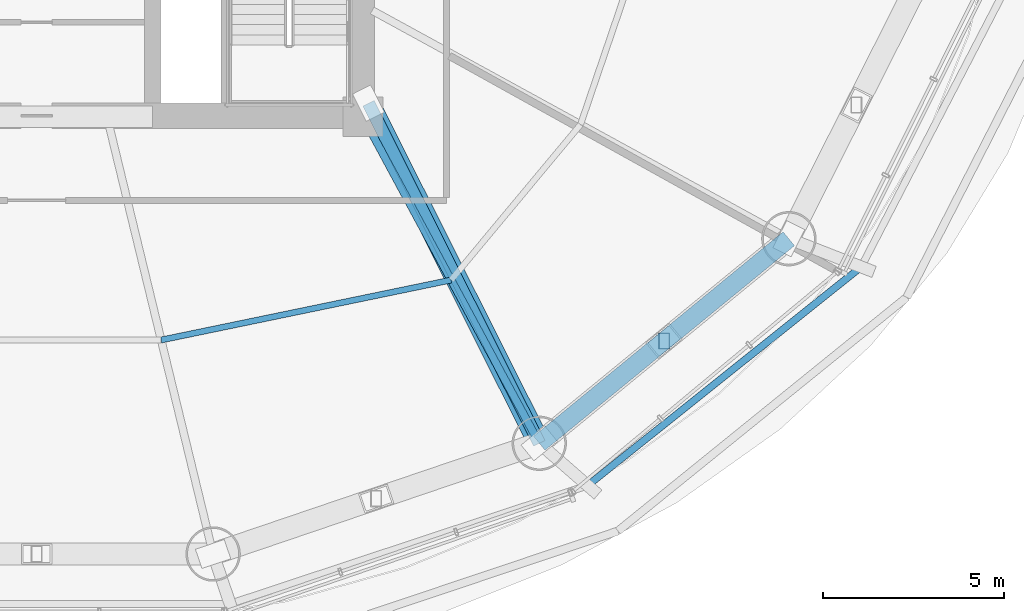
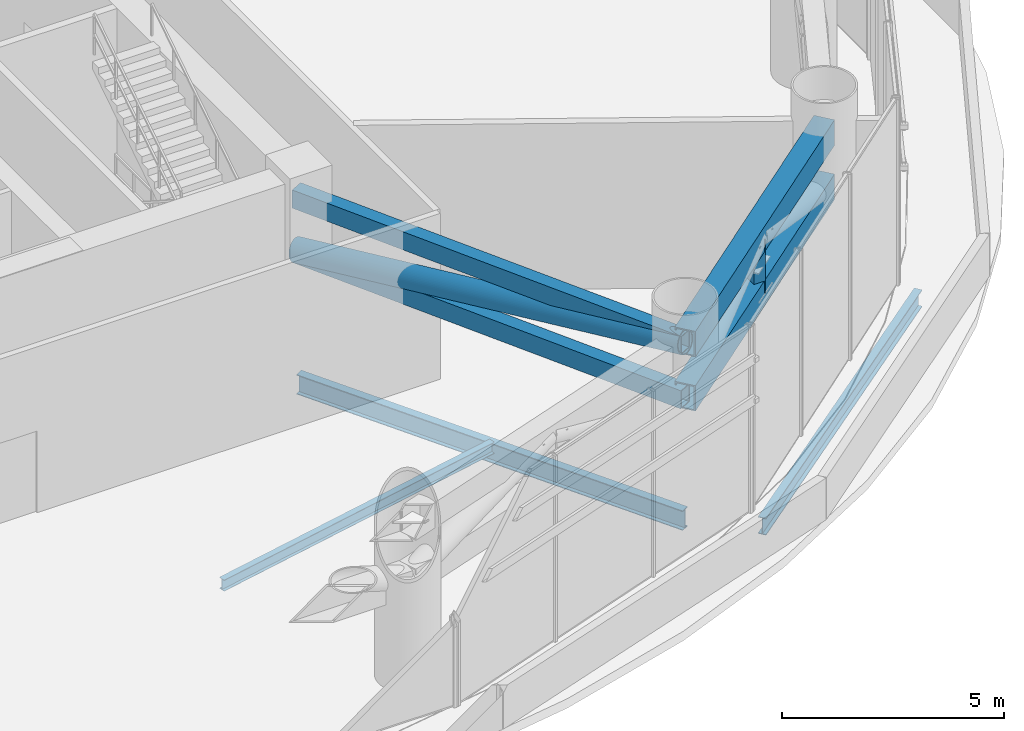
# One storey, part 13 of 33: 6 members, 3 beams.
"""IFC4 building model written with IfcOpenShell, lengths in metres."""

from ifc_helpers import new_model, si_unit, direction, frame, origin, origin_2d, place, context, subcontext, project, spatial, hollow_rectangle, hollow_circle, i_section, extrude, source, transform, mapped, material, material_profile, profile_set, type_object, element, save


model = new_model("IFC4")

# Units and contexts
model_context = context("Model", 3, precision=1e-05, world=origin(), true_north=direction((-0.2419218956, 0.970295726276)))
body_context = subcontext(model_context, "Body", "Model", "MODEL_VIEW")
ifc_project = project(units=[si_unit("LENGTHUNIT", "METRE"), si_unit("AREAUNIT", "SQUARE_METRE"), si_unit("VOLUMEUNIT", "CUBIC_METRE"), si_unit("PLANEANGLEUNIT", "RADIAN"), si_unit("MASSUNIT", "GRAM", prefix="KILO")], contexts=[model_context])

# Site, building, storey
site_placement = place(None, origin())
site = spatial("IfcSite", under=ifc_project, at=site_placement, CompositionType="ELEMENT")
building_placement = place(site_placement, origin())
building = spatial("IfcBuilding", under=site, at=building_placement, Name="Cobrevalo Terracotta Tower", CompositionType="ELEMENT")
storey_placement = place(building_placement, frame((0.0, 0.0, 74.39990234375)))
storey = spatial("IfcBuildingStorey", under=building, at=storey_placement, Name="L19", CompositionType="ELEMENT", Elevation=74.39990234375)

# Beams
ifc_material = material(Name="Steel S355", Category="steel")
ifc_material_profile_1 = material_profile(ifc_material, i_section(OverallWidth=0.2109375, OverallDepth=0.5390625, WebThickness=0.01171875, FlangeThickness=0.018798828125, at=origin_2d()), Name="W 530x109")
ifc_profile_set_1 = profile_set([ifc_material_profile_1], Name="Steel S355")
beam_type_1 = type_object("IfcBeamType", Name="Structural Beam W 530x109 (Steel S355)", PredefinedType="BEAM", material=ifc_profile_set_1)
beam_1_placement = place(storey_placement, frame((51.861572265625, 9.79638671875, -0.719482421875), z_axis=(-0.475118249298, 0.879921956303, 0.0), x_axis=(-0.879921956303, -0.475118249298, 0.0)))
element("IfcBeam", 1, at=beam_1_placement, inside=storey, type_object=beam_type_1, Name="L19 radial floor girder 14", PredefinedType="BEAM", context=body_context, shape_type="SweptSolid", body=[
    extrude(i_section(OverallWidth=0.2109375, OverallDepth=0.5390625, WebThickness=0.01171875, FlangeThickness=0.018798828125, at=origin_2d()), origin(), (0.0, 0.0, 1.0), 10.232421875),
])
ifc_material_profile_2 = material_profile(ifc_material, i_section(OverallWidth=0.1650390625, OverallDepth=0.31005859375, WebThickness=0.005859375, FlangeThickness=0.009765625, at=origin_2d()), Name="W 310x38.7")
ifc_profile_set_2 = profile_set([ifc_material_profile_2], Name="Steel S355")
beam_type_2 = type_object("IfcBeamType", Name="Structural Joist W 310x38.7 (Steel S355)", PredefinedType="JOIST", material=ifc_profile_set_2)
beam_2_placement = place(storey_placement, frame((41.435546875, 12.64404296875, -0.60498046875), z_axis=(0.979257146096, 0.202621424879, 0.0), x_axis=(-0.202621424879, 0.979257146096, 0.0)))
element("IfcBeam", 2, at=beam_2_placement, inside=storey, type_object=beam_type_2, Name="L19 circumferential secondary floor joist 13", PredefinedType="JOIST", context=body_context, shape_type="SweptSolid", body=[
    extrude(i_section(OverallWidth=0.1650390625, OverallDepth=0.31005859375, WebThickness=0.005859375, FlangeThickness=0.009765625, at=origin_2d()), origin(), (0.0, 0.0, 1.0), 8.16455078125),
])
ifc_material_profile_3 = material_profile(ifc_material, i_section(OverallWidth=0.194091796875, OverallDepth=0.468994140625, WebThickness=0.011474609375, FlangeThickness=0.0205078125, at=origin_2d()), Name="W 460x106")
ifc_profile_set_3 = profile_set([ifc_material_profile_3], Name="Steel S355")
beam_type_3 = type_object("IfcBeamType", Name="Structural Spandrel W 460x106 (Steel S355)", PredefinedType="SPANDREL", material=ifc_profile_set_3)
beam_3_placement = place(storey_placement, frame((53.19482421875, 8.63232421875, -0.684326171875), z_axis=(0.781280479891, 0.62418011162, 0.0), x_axis=(-0.62418011162, 0.781280479891, 0.0)))
element("IfcBeam", 3, at=beam_3_placement, inside=storey, type_object=beam_type_3, Name="L19 perimeter ring spandrel 14", PredefinedType="SPANDREL", context=body_context, shape_type="SweptSolid", body=[
    extrude(i_section(OverallWidth=0.194091796875, OverallDepth=0.468994140625, WebThickness=0.011474609375, FlangeThickness=0.0205078125, at=origin_2d()), origin(), (0.0, 0.0, 1.0), 9.658447265625),
])

# Members
ifc_material_profile_4 = material_profile(ifc_material, hollow_rectangle(XDim=0.300048828125, YDim=0.449951171875, WallThickness=0.02001953125, at=origin_2d()), Name="RHS 450x300x20")
ifc_profile_set_4 = profile_set([ifc_material_profile_4], Name="Steel S355")
member_type_1 = type_object("IfcMemberType", Name="Steel Post RHS 450x300x20 (Steel S355)", PredefinedType="POST", material=ifc_profile_set_4)
shared_shape_1 = source(origin(), body_context, "Body", "SweptSolid", [
    extrude(hollow_rectangle(XDim=0.300048828125, YDim=0.449951171875, WallThickness=0.02001953125, at=origin_2d()), origin(), (0.0, 0.0, 1.0), 1.494873046875),
])
member_1_placement = place(storey_placement, frame((55.30322265625, 12.617431640625, 2.650146484375), z_axis=(0.0, 0.0, 1.0), x_axis=(1.0, 0.0, 0.0)))
element("IfcMember", 4, at=member_1_placement, inside=storey, type_object=member_type_1, Name="L19 belt truss post 14", PredefinedType="POST", context=body_context, shape_type="MappedRepresentation", body=[
    mapped(shared_shape_1, transform((0.0, 0.0, 0.0), scale=1.0)),
])
ifc_material_profile_5 = material_profile(ifc_material, hollow_rectangle(XDim=0.5, YDim=0.699951171875, WallThickness=0.031982421875, at=origin_2d()), Name="RHS 700x500x32")
ifc_profile_set_5 = profile_set([ifc_material_profile_5], Name="Steel S355")
member_type_2 = type_object("IfcMemberType", Name="Steel Chord RHS 700x500x32 (Steel S355)", PredefinedType="CHORD", material=ifc_profile_set_5)
shared_shape_2 = source(origin(), body_context, "Body", "SweptSolid", [
    extrude(hollow_rectangle(XDim=0.5, YDim=0.699951171875, WallThickness=0.031982421875, at=origin_2d()), origin(), (0.0, 0.0, 1.0), 8.900390625),
])
for number, where, z_axis, x_axis, name in (
    (5, (51.861572265625, 9.79638671875, 2.650146484375), (0.773400923541, 0.633917196064, 0.0), (-0.633917196064, 0.773400923541, 0.0), "L19 belt truss chord 14-BC"),
    (6, (51.861572265625, 9.79638671875, 4.14501953125), (0.773400923541, 0.633917196064, 0.0), (-0.633917196064, 0.773400923541, 0.0), "L19 belt truss chord 14-TC"),
):
    element("IfcMember", number, at=place(storey_placement, frame(where, z_axis=z_axis, x_axis=x_axis)), inside=storey, type_object=member_type_2, Name=name, PredefinedType="CHORD", context=body_context, shape_type="MappedRepresentation", body=[
        mapped(shared_shape_2, transform((0.0, 0.0, 0.0), scale=1.0)),
    ])
ifc_material_profile_6 = material_profile(ifc_material, hollow_rectangle(XDim=0.35009765625, YDim=0.5, WallThickness=0.02197265625, at=origin_2d()), Name="RHS 500x350x22")
ifc_profile_set_6 = profile_set([ifc_material_profile_6], Name="Steel S355")
member_type_3 = type_object("IfcMemberType", Name="Steel Chord RHS 500x350x22 (Steel S355)", PredefinedType="CHORD", material=ifc_profile_set_6)
shared_shape_3 = source(origin(), body_context, "Body", "SweptSolid", [
    extrude(hollow_rectangle(XDim=0.35009765625, YDim=0.5, WallThickness=0.02197265625, at=origin_2d()), origin(), (0.0, 0.0, 1.0), 10.49560546875),
])
for number, where, z_axis, x_axis, name in (
    (7, (47.14990234375, 19.175048828125, 2.650146484375), (0.448915495867, -0.89357421492, 0.0), (0.89357421492, 0.448915495867, 0.0), "L19 radial outrigger bottom chord 4"),
    (8, (47.14990234375, 19.175048828125, 4.14501953125), (0.448915495867, -0.89357421492, 0.0), (0.89357421492, 0.448915495867, 0.0), "L19 radial outrigger top chord 4"),
):
    element("IfcMember", number, at=place(storey_placement, frame(where, z_axis=z_axis, x_axis=x_axis)), inside=storey, type_object=member_type_3, Name=name, PredefinedType="CHORD", context=body_context, shape_type="MappedRepresentation", body=[
        mapped(shared_shape_3, transform((0.0, 0.0, 0.0), scale=1.0)),
    ])
ifc_material_profile_7 = material_profile(ifc_material, hollow_circle(Radius=0.304931640625, WallThickness=0.02490234375, at=origin_2d()), Name="CHS 610x25")
ifc_profile_set_7 = profile_set([ifc_material_profile_7], Name="Steel S355")
member_type_4 = type_object("IfcMemberType", Name="Steel Brace CHS 610x25 (Steel S355)", PredefinedType="BRACE", material=ifc_profile_set_7)
shared_shape_4 = source(origin(), body_context, "Body", "SweptSolid", [
    extrude(hollow_circle(Radius=0.304931640625, WallThickness=0.02490234375, at=origin_2d()), origin(), (0.0, 0.0, 1.0), 10.6015625),
])
member_2_placement = place(storey_placement, frame((47.14990234375, 19.175048828125, 2.650146484375), z_axis=(0.444430356873, -0.884646466619, 0.141004563715), x_axis=(0.89357421492, 0.448915495867, 0.0)))
element("IfcMember", 9, at=member_2_placement, inside=storey, type_object=member_type_4, Name="L19 radial outrigger diagonal brace 4A", PredefinedType="BRACE", context=body_context, shape_type="MappedRepresentation", body=[
    mapped(shared_shape_4, transform((0.0, 0.0, 0.0), scale=1.0)),
])

save(model, "model.ifc")
